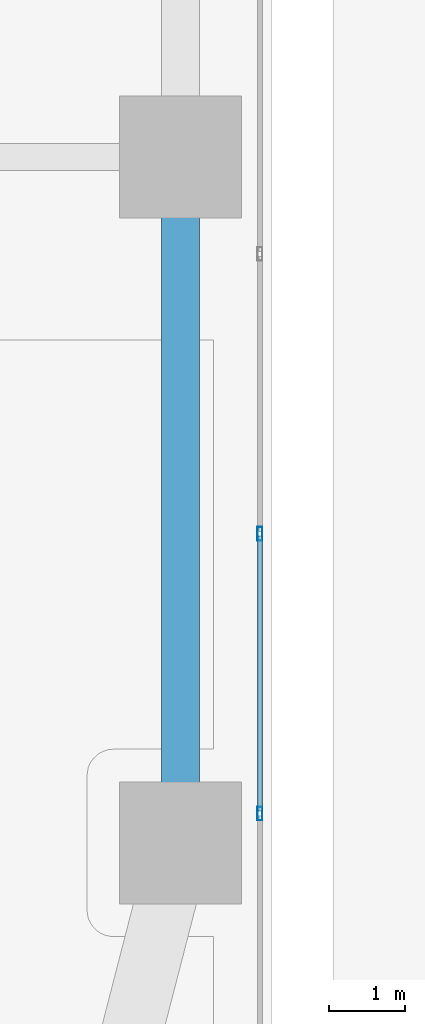
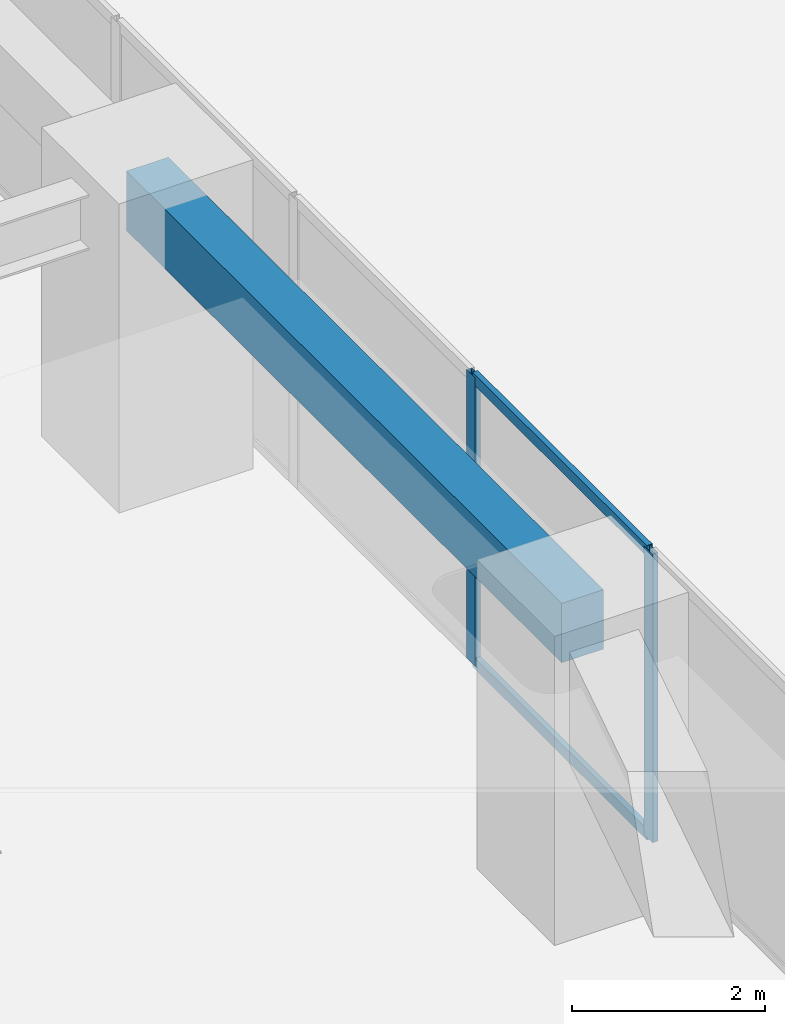
# One storey, part 16 of 38: 4 members, 1 beam, 1 element without a shape of its own.
"""IFC4 building model written with IfcOpenShell, lengths in metres."""

from ifc_helpers import new_model, si_unit, direction, frame, origin, origin_2d, place, context, subcontext, project, spatial, rectangle, hollow_rectangle, extrude, material, layer, layer_set, material_profile, profile_set, type_object, element, aggregate, save


model = new_model("IFC4")

# Units and contexts
model_context = context("Model", 3, precision=1e-05, world=origin(), true_north=direction((0.0, 1.0)))
body_context = subcontext(model_context, "Body", "Model", "MODEL_VIEW")
ifc_project = project(units=[si_unit("LENGTHUNIT", "METRE"), si_unit("AREAUNIT", "SQUARE_METRE"), si_unit("VOLUMEUNIT", "CUBIC_METRE"), si_unit("PLANEANGLEUNIT", "RADIAN"), si_unit("MASSUNIT", "GRAM", prefix="KILO")], contexts=[model_context])

# Site, building, storey
site_placement = place(None, origin())
site = spatial("IfcSite", under=ifc_project, at=site_placement, CompositionType="ELEMENT")
building_placement = place(site_placement, origin())
building = spatial("IfcBuilding", under=site, at=building_placement, Name="Kiyonajd Concourse Tower", CompositionType="ELEMENT")
storey_placement = place(building_placement, frame((0.0, 0.0, 21.60009765625)))
storey = spatial("IfcBuildingStorey", under=building, at=storey_placement, Name="L06", CompositionType="ELEMENT", Elevation=21.60009765625)

# Beam
ifc_material_1 = material(Name="Precast concrete C50/60", Category="concrete")
ifc_material_profile_1 = material_profile(ifc_material_1, rectangle(XDim=0.5, YDim=0.75, at=origin_2d()), Name="RCBM-500x750")
ifc_profile_set_1 = profile_set([ifc_material_profile_1], Name="Precast concrete C50/60")
beam_type = type_object("IfcBeamType", Name="BM-SPAN-RC", PredefinedType="SPANDREL", material=ifc_profile_set_1)
beam_placement = place(storey_placement, frame((78.0, 18.60009765625, 3.264892578125), z_axis=(0.0, 1.0, 0.0), x_axis=(-1.0, 0.0, 0.0)))
element("IfcBeam", 1, at=beam_placement, inside=storey, type_object=beam_type, Name="L06 Perimeter Bundled Tube Spandrel", PredefinedType="SPANDREL", context=body_context, shape_type="SweptSolid", body=[
    extrude(rectangle(XDim=0.5, YDim=0.75, at=origin_2d()), origin(), (0.0, 0.0, 1.0), 9.0),
])

# Curtain wall, members
ifc_material_2 = material(Name="Thermally Broken Anodised Aluminium", Category="aluminium")
ifc_layer = layer(ifc_material_2, 0.179931640625)
ifc_layer_set = layer_set([ifc_layer], Name="Thermally Broken Anodised Aluminium")
curtain_wall_type = type_object("IfcCurtainWallType", Name="CW-SYS-02", PredefinedType="NOTDEFINED", material=ifc_layer_set)
curtain_wall_placement = place(storey_placement, origin())
curtain_wall = element("IfcCurtainWall", 2, at=curtain_wall_placement, inside=storey, type_object=curtain_wall_type, Name="L06 Unitised Curtain Wall CW2", PredefinedType="NOTDEFINED")
ifc_material_profile_2 = material_profile(ifc_material_2, hollow_rectangle(XDim=0.06494140625, YDim=0.179931640625, WallThickness=0.00390625, at=origin_2d()), Name="MULL-65x180")
ifc_profile_set_2 = profile_set([ifc_material_profile_2], Name="Thermally Broken Anodised Aluminium")
member_type_1 = type_object("IfcMemberType", Name="MB-CW-MULL1", PredefinedType="MULLION", material=ifc_profile_set_2)
member_1_placement = place(storey_placement, frame((79.0400390625, 22.657470703125, 0.0), z_axis=(0.0, 0.0, 1.0), x_axis=(1.0, 0.0, 0.0)))
member_1 = element("IfcMember", 3, at=member_1_placement, type_object=member_type_1, Name="CW2 mullion 5", PredefinedType="MULLION", context=body_context, shape_type="SweptSolid", body=[
    extrude(hollow_rectangle(XDim=0.06494140625, YDim=0.179931640625, WallThickness=0.00390625, at=origin_2d()), origin(), (0.0, 0.0, 1.0), 3.639892578125),
])
member_2_placement = place(storey_placement, frame((79.0400390625, 18.984130859375, 0.0), z_axis=(0.0, 0.0, 1.0), x_axis=(1.0, 0.0, 0.0)))
member_2 = element("IfcMember", 4, at=member_2_placement, type_object=member_type_1, Name="CW2 mullion 6", PredefinedType="MULLION", context=body_context, shape_type="SweptSolid", body=[
    extrude(hollow_rectangle(XDim=0.06494140625, YDim=0.179931640625, WallThickness=0.00390625, at=origin_2d()), origin(), (0.0, 0.0, 1.0), 3.639892578125),
])
ifc_material_profile_3 = material_profile(ifc_material_2, hollow_rectangle(XDim=0.06494140625, YDim=0.139892578125, WallThickness=0.00390625, at=origin_2d()), Name="TRAN-65x140")
ifc_profile_set_3 = profile_set([ifc_material_profile_3], Name="Thermally Broken Anodised Aluminium")
member_type_2 = type_object("IfcMemberType", Name="MB-CW-TRAN1", PredefinedType="USERDEFINED", material=ifc_profile_set_3)
member_3_placement = place(storey_placement, frame((79.0400390625, 22.625, 0.032470703125), z_axis=(0.0, -1.0, 0.0), x_axis=(1.0, 0.0, 0.0)))
member_3 = element("IfcMember", 5, at=member_3_placement, type_object=member_type_2, Name="CW2 transom 5.1", ObjectType="TRANSOM", PredefinedType="USERDEFINED", context=body_context, shape_type="SweptSolid", body=[
    extrude(hollow_rectangle(XDim=0.06494140625, YDim=0.139892578125, WallThickness=0.00390625, at=origin_2d()), origin(), (0.0, 0.0, 1.0), 3.608154296875),
])
member_4_placement = place(storey_placement, frame((79.0400390625, 22.625, 3.607421875), z_axis=(0.0, -1.0, 0.0), x_axis=(1.0, 0.0, 0.0)))
member_4 = element("IfcMember", 6, at=member_4_placement, type_object=member_type_2, Name="CW2 transom 5.2", ObjectType="TRANSOM", PredefinedType="USERDEFINED", context=body_context, shape_type="SweptSolid", body=[
    extrude(hollow_rectangle(XDim=0.06494140625, YDim=0.139892578125, WallThickness=0.00390625, at=origin_2d()), origin(), (0.0, 0.0, 1.0), 3.608154296875),
])
aggregate(curtain_wall, [member_1, member_2, member_3, member_4])

save(model, "model.ifc")
